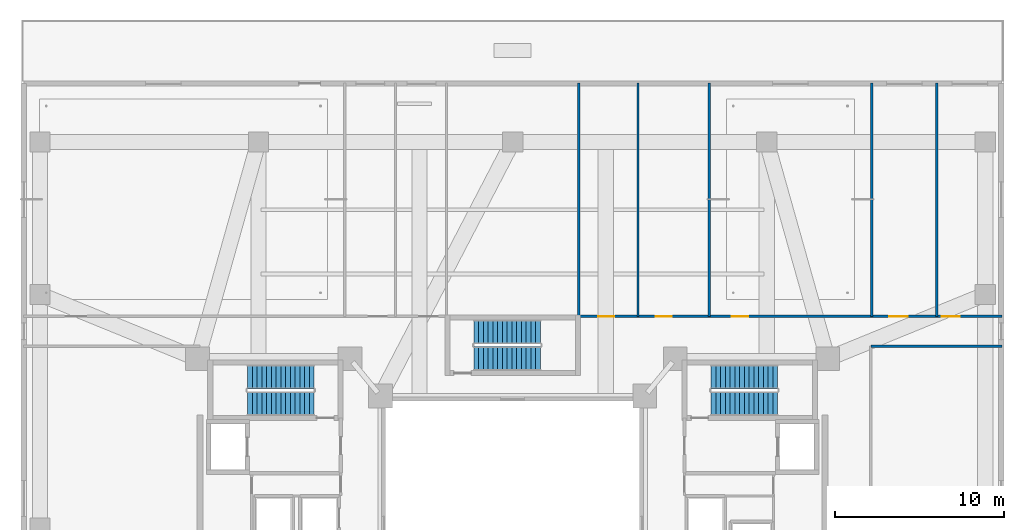
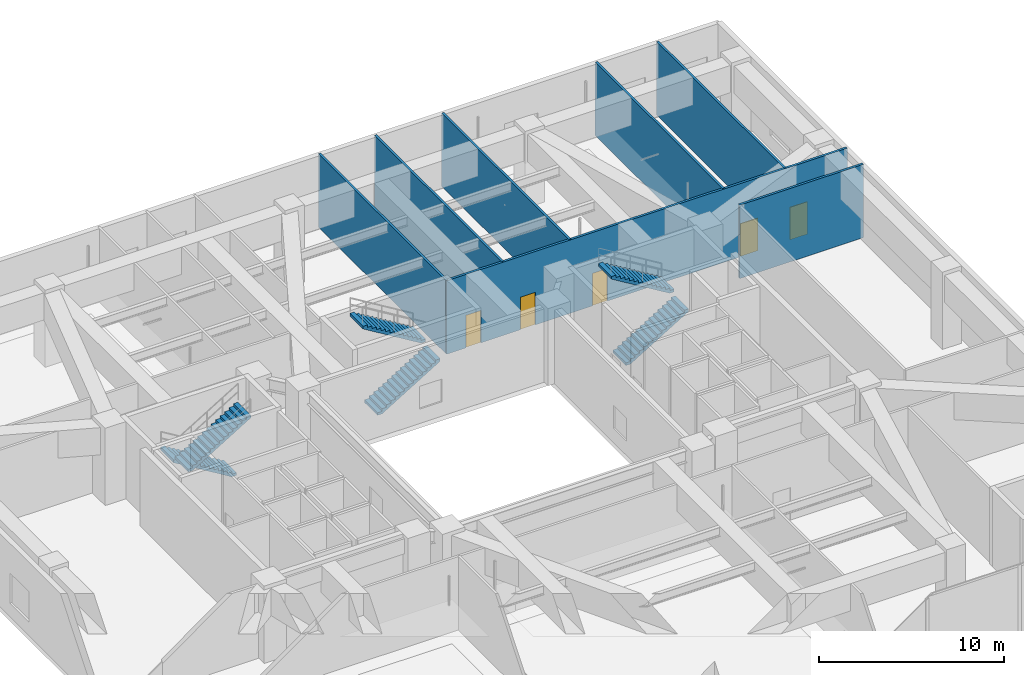
# One storey, part 13 of 21: 7 walls, 6 stair flights, 5 doors, 5 openings, 3 elements without a shape of their own.
"""IFC4 building model written with IfcOpenShell, lengths in metres."""

from ifc_helpers import new_model, si_unit, direction, frame, frame_2d, origin, place, context, subcontext, project, spatial, polyline, rectangle, outline, extrude, material, layer, layer_set, type_object, element, fill, aggregate, save


model = new_model("IFC4")

# Units and contexts
model_context = context("Model", 3, precision=1e-05, world=origin(), true_north=direction((0.0, 1.0)))
body_context = subcontext(model_context, "Body", "Model", "MODEL_VIEW")
ifc_project = project(units=[si_unit("LENGTHUNIT", "METRE"), si_unit("AREAUNIT", "SQUARE_METRE"), si_unit("VOLUMEUNIT", "CUBIC_METRE"), si_unit("PLANEANGLEUNIT", "RADIAN"), si_unit("MASSUNIT", "GRAM", prefix="KILO")], contexts=[model_context])

# Site, building, storey
site_placement = place(None, origin())
site = spatial("IfcSite", under=ifc_project, at=site_placement, CompositionType="ELEMENT")
building_placement = place(site_placement, origin())
building = spatial("IfcBuilding", under=site, at=building_placement, Name="Tarnavaz Court Tower", CompositionType="ELEMENT")
storey_placement = place(building_placement, frame((0.0, 0.0, 18.89990234375)))
storey = spatial("IfcBuildingStorey", under=building, at=storey_placement, Name="L04", CompositionType="ELEMENT", Elevation=18.89990234375)

# Wall, openings, doors
ifc_material_1 = material(Name="Gypsum Fire-Board on Acoustic Metal Stud", Category="masonry")
ifc_layer_1 = layer(ifc_material_1, 0.14990234375)
ifc_layer_set_1 = layer_set([ifc_layer_1], Name="Gypsum Fire-Board on Acoustic Metal Stud")
wall_type_1 = type_object("IfcWallType", Name="WL-FIRE-150", PredefinedType="PARTITIONING", material=ifc_layer_set_1)
wall_1_placement = place(storey_placement, frame((3.85009765625, 12.5, 0.0), z_axis=(0.0, 0.0, 1.0), x_axis=(1.0, 0.0, 0.0)))
wall_1 = element("IfcWall", 1, at=wall_1_placement, inside=storey, type_object=wall_type_1, Name="L04 NE Wing Corridor Wall 086", PredefinedType="PARTITIONING", context=body_context, shape_type="SweptSolid", body=[
    extrude(rectangle(XDim=25.02978515625, YDim=0.14990234375, at=frame_2d((12.514892578125, 0.0))), origin(), (0.0, 0.0, 1.0), 4.85009765625),
])
opening_1_placement = place(wall_1_placement, frame((1.199951171875, 0.0, 0.0)))
opening_1 = element("IfcOpeningElement", 2, at=opening_1_placement, cuts=wall_1, Name="Opening D13", PredefinedType="OPENING", context=body_context, shape_type="SweptSolid", body=[
    extrude(rectangle(XDim=0.949951171875, YDim=2.14990234375, at=frame_2d((0.47509765625, 1.074951171875))), frame((0.0, 0.0849609375, 0.0), z_axis=(0.0, -1.0, 0.0), x_axis=(1.0, 0.0, 0.0)), (0.0, 0.0, 1.0), 0.169921875),
])
opening_2_placement = place(wall_1_placement, frame((4.60009765625, 0.0, 0.0)))
opening_2 = element("IfcOpeningElement", 3, at=opening_2_placement, cuts=wall_1, Name="Opening D13", PredefinedType="OPENING", context=body_context, shape_type="SweptSolid", body=[
    extrude(rectangle(XDim=0.949951171875, YDim=2.14990234375, at=frame_2d((0.47509765625, 1.074951171875))), frame((0.0, 0.0849609375, 0.0), z_axis=(0.0, -1.0, 0.0), x_axis=(1.0, 0.0, 0.0)), (0.0, 0.0, 1.0), 0.169921875),
])
opening_3_placement = place(wall_1_placement, frame((9.10009765625, 0.0, 0.0)))
opening_3 = element("IfcOpeningElement", 4, at=opening_3_placement, cuts=wall_1, Name="Opening D13", PredefinedType="OPENING", context=body_context, shape_type="SweptSolid", body=[
    extrude(rectangle(XDim=0.949951171875, YDim=2.14990234375, at=frame_2d((0.47509765625, 1.074951171875))), frame((0.0, 0.0849609375, 0.0), z_axis=(0.0, -1.0, 0.0), x_axis=(1.0, 0.0, 0.0)), (0.0, 0.0, 1.0), 0.169921875),
])
opening_4_placement = place(wall_1_placement, frame((18.39990234375, 0.0, 0.0)))
opening_4 = element("IfcOpeningElement", 5, at=opening_4_placement, cuts=wall_1, Name="Opening D12", PredefinedType="OPENING", context=body_context, shape_type="SweptSolid", body=[
    extrude(rectangle(XDim=1.080078125, YDim=2.14990234375, at=frame_2d((0.5400390625, 1.074951171875))), frame((0.0, 0.0849609375, 0.0), z_axis=(0.0, -1.0, 0.0), x_axis=(1.0, 0.0, 0.0)), (0.0, 0.0, 1.0), 0.169921875),
])
opening_5_placement = place(wall_1_placement, frame((21.47998046875, 0.0, 0.0)))
opening_5 = element("IfcOpeningElement", 6, at=opening_5_placement, cuts=wall_1, Name="Opening D12", PredefinedType="OPENING", context=body_context, shape_type="SweptSolid", body=[
    extrude(rectangle(XDim=1.080078125, YDim=2.14990234375, at=frame_2d((0.5400390625, 1.074951171875))), frame((0.0, 0.0849609375, 0.0), z_axis=(0.0, -1.0, 0.0), x_axis=(1.0, 0.0, 0.0)), (0.0, 0.0, 1.0), 0.169921875),
])
ifc_material_2 = material(Name="Engineered Oak Timber", Category="wood")
door_type_1 = type_object("IfcDoorType", Name="DR-INT-1100", OperationType="NOTDEFINED", PredefinedType="DOOR", material=ifc_material_2)
door_1_placement = place(opening_4_placement, origin())
door_1 = element("IfcDoor", 7, at=door_1_placement, inside=storey, type_object=door_type_1, Name="L04 Community Health Education Seminar Hall Door", OperationType="SINGLE_SWING_RIGHT", OverallHeight=2.14990234375, OverallWidth=1.080078125, PredefinedType="DOOR", context=body_context, shape_type="SweptSolid", body=[
    extrude(rectangle(XDim=1.080078125, YDim=2.14990234375, at=frame_2d((0.5400390625, 1.074951171875))), frame((0.0, 0.02490234375, 0.0), z_axis=(0.0, -1.0, 0.0), x_axis=(1.0, 0.0, 0.0)), (0.0, 0.0, 1.0), 0.050048828125),
])
fill(opening_4, door_1)
door_2_placement = place(opening_5_placement, origin())
door_2 = element("IfcDoor", 8, at=door_2_placement, inside=storey, type_object=door_type_1, Name="L04 Specialist Office Door", OperationType="SINGLE_SWING_LEFT", OverallHeight=2.14990234375, OverallWidth=1.080078125, PredefinedType="DOOR", context=body_context, shape_type="SweptSolid", body=[
    extrude(rectangle(XDim=1.080078125, YDim=2.14990234375, at=frame_2d((0.5400390625, 1.074951171875))), frame((0.0, 0.02490234375, 0.0), z_axis=(0.0, -1.0, 0.0), x_axis=(1.0, 0.0, 0.0)), (0.0, 0.0, 1.0), 0.050048828125),
])
fill(opening_5, door_2)
door_type_2 = type_object("IfcDoorType", Name="DR-INT-950", OperationType="NOTDEFINED", PredefinedType="DOOR", material=ifc_material_2)
door_3_placement = place(opening_1_placement, origin())
door_3 = element("IfcDoor", 9, at=door_3_placement, inside=storey, type_object=door_type_2, Name="L04 L04 Accessible WC Door", OperationType="SINGLE_SWING_LEFT", OverallHeight=2.14990234375, OverallWidth=0.949951171875, PredefinedType="DOOR", context=body_context, shape_type="SweptSolid", body=[
    extrude(rectangle(XDim=0.949951171875, YDim=2.14990234375, at=frame_2d((0.47509765625, 1.074951171875))), frame((0.0, 0.02490234375, 0.0), z_axis=(0.0, -1.0, 0.0), x_axis=(1.0, 0.0, 0.0)), (0.0, 0.0, 1.0), 0.050048828125),
])
fill(opening_1, door_3)
door_4_placement = place(opening_2_placement, origin())
door_4 = element("IfcDoor", 10, at=door_4_placement, inside=storey, type_object=door_type_2, Name="L04 L04 Public Toilets Door", OperationType="SINGLE_SWING_RIGHT", OverallHeight=2.14990234375, OverallWidth=0.949951171875, PredefinedType="DOOR", context=body_context, shape_type="SweptSolid", body=[
    extrude(rectangle(XDim=0.949951171875, YDim=2.14990234375, at=frame_2d((0.47509765625, 1.074951171875))), frame((0.0, 0.02490234375, 0.0), z_axis=(0.0, -1.0, 0.0), x_axis=(1.0, 0.0, 0.0)), (0.0, 0.0, 1.0), 0.050048828125),
])
fill(opening_2, door_4)
door_5_placement = place(opening_3_placement, origin())
door_5 = element("IfcDoor", 11, at=door_5_placement, inside=storey, type_object=door_type_2, Name="L04 L04 Administration Office Door", OperationType="SINGLE_SWING_LEFT", OverallHeight=2.14990234375, OverallWidth=0.949951171875, PredefinedType="DOOR", context=body_context, shape_type="SweptSolid", body=[
    extrude(rectangle(XDim=0.949951171875, YDim=2.14990234375, at=frame_2d((0.47509765625, 1.074951171875))), frame((0.0, 0.02490234375, 0.0), z_axis=(0.0, -1.0, 0.0), x_axis=(1.0, 0.0, 0.0)), (0.0, 0.0, 1.0), 0.050048828125),
])
fill(opening_3, door_5)

# Walls
wall_2_placement = place(storey_placement, frame((21.14990234375, 10.75, 0.0), z_axis=(0.0, 0.0, 1.0), x_axis=(1.0, 0.0, 0.0)))
element("IfcWall", 12, at=wall_2_placement, inside=storey, type_object=wall_type_1, Name="L04 Interior Partition 106", PredefinedType="PARTITIONING", context=body_context, shape_type="SweptSolid", body=[
    extrude(rectangle(XDim=7.72998046875, YDim=0.14990234375, at=frame_2d((3.864990234375, 0.0))), origin(), (0.0, 0.0, 1.0), 4.85009765625),
])
ifc_material_3 = material(Name="Gypsum Plasterboard Acoustic Partition", Category="masonry")
ifc_layer_2 = layer(ifc_material_3, 0.139892578125)
ifc_layer_set_2 = layer_set([ifc_layer_2], Name="Gypsum Plasterboard Acoustic Partition")
wall_type_2 = type_object("IfcWallType", Name="WL-PART-150", PredefinedType="PARTITIONING", material=ifc_layer_set_2)
for number, where, z_axis, x_axis, name in (
    (13, (3.89990234375, 12.5, 0.0), (0.0, 0.0, 1.0), (0.0, 1.0, 0.0), "L04 Interior Partition 092"),
    (14, (7.39990234375, 12.5, 0.0), (0.0, 0.0, 1.0), (0.0, 1.0, 0.0), "L04 Interior Partition 095"),
    (15, (11.60009765625, 12.5, 0.0), (0.0, 0.0, 1.0), (0.0, 1.0, 0.0), "L04 Interior Partition 096"),
    (16, (21.199951171875, 12.5, 0.0), (0.0, 0.0, 1.0), (0.0, 1.0, 0.0), "L04 Interior Partition 097"),
    (17, (25.0400390625, 12.5, 0.0), (0.0, 0.0, 1.0), (0.0, 1.0, 0.0), "L04 Interior Partition 098"),
):
    element("IfcWall", number, at=place(storey_placement, frame(where, z_axis=z_axis, x_axis=x_axis)), inside=storey, type_object=wall_type_2, Name=name, PredefinedType="PARTITIONING", context=body_context, shape_type="SweptSolid", body=[
        extrude(rectangle(XDim=13.780029296875, YDim=0.139892578125, at=frame_2d((6.89013671875, 0.0))), origin(), (0.0, 0.0, 1.0), 4.85009765625),
    ])

# Stair, stair flights
ifc_material_4 = material(Name="Concrete C40/50", Category="concrete")
stair_type = type_object("IfcStairType", Name="ST-TWR-30R", PredefinedType="HALF_TURN_STAIR", material=ifc_material_4)
stair_1_placement = place(storey_placement, origin())
stair_1 = element("IfcStair", 18, at=stair_1_placement, inside=storey, type_object=stair_type, Name="L04 West Core Pressurized Exit Stair ST-W1", PredefinedType="HALF_TURN_STAIR")
stair_flight_type = type_object("IfcStairFlightType", Name="SFL-RC-30R", PredefinedType="STRAIGHT", material=ifc_material_4)
stair_flight_1_placement = place(storey_placement, frame((-11.719970703125, 8.929931640625, 0.0), z_axis=(0.0, 0.0, 1.0), x_axis=(-1.0, 0.0, 0.0)))
stair_flight_1 = element("IfcStairFlight", 19, at=stair_flight_1_placement, type_object=stair_flight_type, Name="ST-W1 flight 1", NumberOfRisers=15, NumberOfTreads=14, PredefinedType="STRAIGHT", RiserHeight=0.17, TreadLength=0.28, context=body_context, shape_type="SweptSolid", body=[
    extrude(outline(polyline([(0.0, 0.0), (0.0, 0.169921875), (0.280029296875, 0.169921875), (0.280029296875, 0.340087890625), (0.56005859375, 0.340087890625), (0.56005859375, 0.510009765625), (0.840087890625, 0.510009765625), (0.840087890625, 0.679931640625), (1.1201171875, 0.679931640625), (1.1201171875, 0.85009765625), (1.39990234375, 0.85009765625), (1.39990234375, 1.02001953125), (1.679931640625, 1.02001953125), (1.679931640625, 1.18994140625), (1.9599609375, 1.18994140625), (1.9599609375, 1.360107421875), (2.239990234375, 1.360107421875), (2.239990234375, 1.530029296875), (2.52001953125, 1.530029296875), (2.52001953125, 1.699951171875), (2.800048828125, 1.699951171875), (2.800048828125, 1.8701171875), (3.080078125, 1.8701171875), (3.080078125, 2.0400390625), (3.360107421875, 2.0400390625), (3.360107421875, 2.2099609375), (3.639892578125, 2.2099609375), (3.639892578125, 2.3798828125), (3.919921875, 2.3798828125), (3.919921875, 2.550048828125), (3.919921875, 2.20458984375), (0.288818359375, 0.0), (0.0, 0.0)])), frame((0.0, 0.7099609375, 0.0), z_axis=(0.0, -1.0, 0.0), x_axis=(1.0, 0.0, 0.0)), (0.0, 0.0, 1.0), 1.419921875),
])
stair_flight_2_placement = place(storey_placement, frame((-15.639892578125, 7.360107421875, 2.550048828125), z_axis=(0.0, 0.0, 1.0), x_axis=(1.0, 0.0, 0.0)))
stair_flight_2 = element("IfcStairFlight", 20, at=stair_flight_2_placement, type_object=stair_flight_type, Name="ST-W1 flight 2", NumberOfRisers=15, NumberOfTreads=14, PredefinedType="STRAIGHT", RiserHeight=0.17, TreadLength=0.28, context=body_context, shape_type="SweptSolid", body=[
    extrude(outline(polyline([(0.0, 0.0), (0.0, 0.169921875), (0.280029296875, 0.169921875), (0.280029296875, 0.340087890625), (0.56005859375, 0.340087890625), (0.56005859375, 0.510009765625), (0.840087890625, 0.510009765625), (0.840087890625, 0.679931640625), (1.1201171875, 0.679931640625), (1.1201171875, 0.85009765625), (1.39990234375, 0.85009765625), (1.39990234375, 1.02001953125), (1.679931640625, 1.02001953125), (1.679931640625, 1.18994140625), (1.9599609375, 1.18994140625), (1.9599609375, 1.360107421875), (2.239990234375, 1.360107421875), (2.239990234375, 1.530029296875), (2.52001953125, 1.530029296875), (2.52001953125, 1.699951171875), (2.800048828125, 1.699951171875), (2.800048828125, 1.8701171875), (3.080078125, 1.8701171875), (3.080078125, 2.0400390625), (3.360107421875, 2.0400390625), (3.360107421875, 2.2099609375), (3.639892578125, 2.2099609375), (3.639892578125, 2.3798828125), (3.919921875, 2.3798828125), (3.919921875, 2.550048828125), (3.919921875, 2.20458984375), (0.288818359375, 0.0), (0.0, 0.0)])), frame((0.0, 0.7099609375, 0.0), z_axis=(0.0, -1.0, 0.0), x_axis=(1.0, 0.0, 0.0)), (0.0, 0.0, 1.0), 1.419921875),
])
aggregate(stair_1, [stair_flight_1, stair_flight_2])

stair_2_placement = place(storey_placement, origin())
stair_2 = element("IfcStair", 21, at=stair_2_placement, inside=storey, type_object=stair_type, Name="L04 East Core Pressurized Exit Stair ST-E1", PredefinedType="HALF_TURN_STAIR")
stair_flight_3_placement = place(storey_placement, frame((11.719970703125, 7.360107421875, 0.0), z_axis=(0.0, 0.0, 1.0), x_axis=(1.0, 0.0, 0.0)))
stair_flight_3 = element("IfcStairFlight", 22, at=stair_flight_3_placement, type_object=stair_flight_type, Name="ST-E1 flight 1", NumberOfRisers=15, NumberOfTreads=14, PredefinedType="STRAIGHT", RiserHeight=0.17, TreadLength=0.28, context=body_context, shape_type="SweptSolid", body=[
    extrude(outline(polyline([(0.0, 0.0), (0.0, 0.169921875), (0.280029296875, 0.169921875), (0.280029296875, 0.340087890625), (0.56005859375, 0.340087890625), (0.56005859375, 0.510009765625), (0.840087890625, 0.510009765625), (0.840087890625, 0.679931640625), (1.1201171875, 0.679931640625), (1.1201171875, 0.85009765625), (1.39990234375, 0.85009765625), (1.39990234375, 1.02001953125), (1.679931640625, 1.02001953125), (1.679931640625, 1.18994140625), (1.9599609375, 1.18994140625), (1.9599609375, 1.360107421875), (2.239990234375, 1.360107421875), (2.239990234375, 1.530029296875), (2.52001953125, 1.530029296875), (2.52001953125, 1.699951171875), (2.800048828125, 1.699951171875), (2.800048828125, 1.8701171875), (3.080078125, 1.8701171875), (3.080078125, 2.0400390625), (3.360107421875, 2.0400390625), (3.360107421875, 2.2099609375), (3.639892578125, 2.2099609375), (3.639892578125, 2.3798828125), (3.919921875, 2.3798828125), (3.919921875, 2.550048828125), (3.919921875, 2.20458984375), (0.288818359375, 0.0), (0.0, 0.0)])), frame((0.0, 0.7099609375, 0.0), z_axis=(0.0, -1.0, 0.0), x_axis=(1.0, 0.0, 0.0)), (0.0, 0.0, 1.0), 1.419921875),
])
stair_flight_4_placement = place(storey_placement, frame((15.639892578125, 8.929931640625, 2.550048828125), z_axis=(0.0, 0.0, 1.0), x_axis=(-1.0, 0.0, 0.0)))
stair_flight_4 = element("IfcStairFlight", 23, at=stair_flight_4_placement, type_object=stair_flight_type, Name="ST-E1 flight 2", NumberOfRisers=15, NumberOfTreads=14, PredefinedType="STRAIGHT", RiserHeight=0.17, TreadLength=0.28, context=body_context, shape_type="SweptSolid", body=[
    extrude(outline(polyline([(0.0, 0.0), (0.0, 0.169921875), (0.280029296875, 0.169921875), (0.280029296875, 0.340087890625), (0.56005859375, 0.340087890625), (0.56005859375, 0.510009765625), (0.840087890625, 0.510009765625), (0.840087890625, 0.679931640625), (1.1201171875, 0.679931640625), (1.1201171875, 0.85009765625), (1.39990234375, 0.85009765625), (1.39990234375, 1.02001953125), (1.679931640625, 1.02001953125), (1.679931640625, 1.18994140625), (1.9599609375, 1.18994140625), (1.9599609375, 1.360107421875), (2.239990234375, 1.360107421875), (2.239990234375, 1.530029296875), (2.52001953125, 1.530029296875), (2.52001953125, 1.699951171875), (2.800048828125, 1.699951171875), (2.800048828125, 1.8701171875), (3.080078125, 1.8701171875), (3.080078125, 2.0400390625), (3.360107421875, 2.0400390625), (3.360107421875, 2.2099609375), (3.639892578125, 2.2099609375), (3.639892578125, 2.3798828125), (3.919921875, 2.3798828125), (3.919921875, 2.550048828125), (3.919921875, 2.20458984375), (0.288818359375, 0.0), (0.0, 0.0)])), frame((0.0, 0.7099609375, 0.0), z_axis=(0.0, -1.0, 0.0), x_axis=(1.0, 0.0, 0.0)), (0.0, 0.0, 1.0), 1.419921875),
])
aggregate(stair_2, [stair_flight_3, stair_flight_4])

stair_3_placement = place(storey_placement, origin())
stair_3 = element("IfcStair", 24, at=stair_3_placement, inside=storey, type_object=stair_type, Name="L04 North Ring Pressurized Exit Stair ST-N1", PredefinedType="HALF_TURN_STAIR")
stair_flight_5_placement = place(storey_placement, frame((-2.280029296875, 10.010009765625, 0.0), z_axis=(0.0, 0.0, 1.0), x_axis=(1.0, 0.0, 0.0)))
stair_flight_5 = element("IfcStairFlight", 25, at=stair_flight_5_placement, type_object=stair_flight_type, Name="ST-N1 flight 1", NumberOfRisers=15, NumberOfTreads=14, PredefinedType="STRAIGHT", RiserHeight=0.17, TreadLength=0.28, context=body_context, shape_type="SweptSolid", body=[
    extrude(outline(polyline([(0.0, 0.0), (0.0, 0.169921875), (0.280029296875, 0.169921875), (0.280029296875, 0.340087890625), (0.56005859375, 0.340087890625), (0.56005859375, 0.510009765625), (0.840087890625, 0.510009765625), (0.840087890625, 0.679931640625), (1.1201171875, 0.679931640625), (1.1201171875, 0.85009765625), (1.39990234375, 0.85009765625), (1.39990234375, 1.02001953125), (1.679931640625, 1.02001953125), (1.679931640625, 1.18994140625), (1.9599609375, 1.18994140625), (1.9599609375, 1.360107421875), (2.239990234375, 1.360107421875), (2.239990234375, 1.530029296875), (2.52001953125, 1.530029296875), (2.52001953125, 1.699951171875), (2.800048828125, 1.699951171875), (2.800048828125, 1.8701171875), (3.080078125, 1.8701171875), (3.080078125, 2.0400390625), (3.360107421875, 2.0400390625), (3.360107421875, 2.2099609375), (3.639892578125, 2.2099609375), (3.639892578125, 2.3798828125), (3.919921875, 2.3798828125), (3.919921875, 2.550048828125), (3.919921875, 2.20458984375), (0.288818359375, 0.0), (0.0, 0.0)])), frame((0.0, 0.7099609375, 0.0), z_axis=(0.0, -1.0, 0.0), x_axis=(1.0, 0.0, 0.0)), (0.0, 0.0, 1.0), 1.419921875),
])
stair_flight_6_placement = place(storey_placement, frame((1.639892578125, 11.580078125, 2.550048828125), z_axis=(0.0, 0.0, 1.0), x_axis=(-1.0, 0.0, 0.0)))
stair_flight_6 = element("IfcStairFlight", 26, at=stair_flight_6_placement, type_object=stair_flight_type, Name="ST-N1 flight 2", NumberOfRisers=15, NumberOfTreads=14, PredefinedType="STRAIGHT", RiserHeight=0.17, TreadLength=0.28, context=body_context, shape_type="SweptSolid", body=[
    extrude(outline(polyline([(0.0, 0.0), (0.0, 0.169921875), (0.280029296875, 0.169921875), (0.280029296875, 0.340087890625), (0.56005859375, 0.340087890625), (0.56005859375, 0.510009765625), (0.840087890625, 0.510009765625), (0.840087890625, 0.679931640625), (1.1201171875, 0.679931640625), (1.1201171875, 0.85009765625), (1.39990234375, 0.85009765625), (1.39990234375, 1.02001953125), (1.679931640625, 1.02001953125), (1.679931640625, 1.18994140625), (1.9599609375, 1.18994140625), (1.9599609375, 1.360107421875), (2.239990234375, 1.360107421875), (2.239990234375, 1.530029296875), (2.52001953125, 1.530029296875), (2.52001953125, 1.699951171875), (2.800048828125, 1.699951171875), (2.800048828125, 1.8701171875), (3.080078125, 1.8701171875), (3.080078125, 2.0400390625), (3.360107421875, 2.0400390625), (3.360107421875, 2.2099609375), (3.639892578125, 2.2099609375), (3.639892578125, 2.3798828125), (3.919921875, 2.3798828125), (3.919921875, 2.550048828125), (3.919921875, 2.20458984375), (0.288818359375, 0.0), (0.0, 0.0)])), frame((0.0, 0.7099609375, 0.0), z_axis=(0.0, -1.0, 0.0), x_axis=(1.0, 0.0, 0.0)), (0.0, 0.0, 1.0), 1.419921875),
])
aggregate(stair_3, [stair_flight_5, stair_flight_6])

save(model, "model.ifc")
